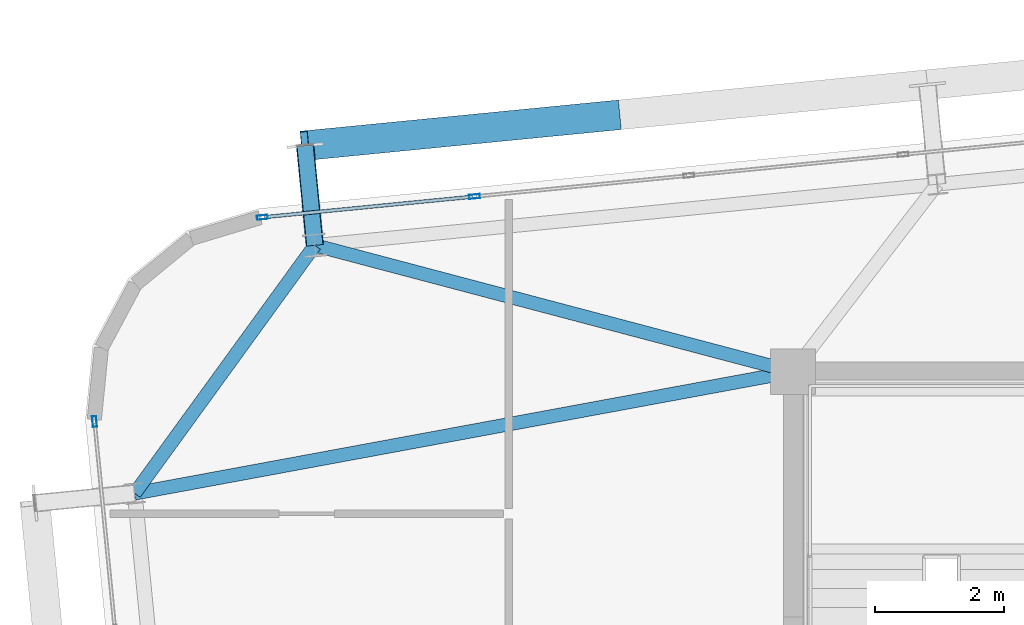
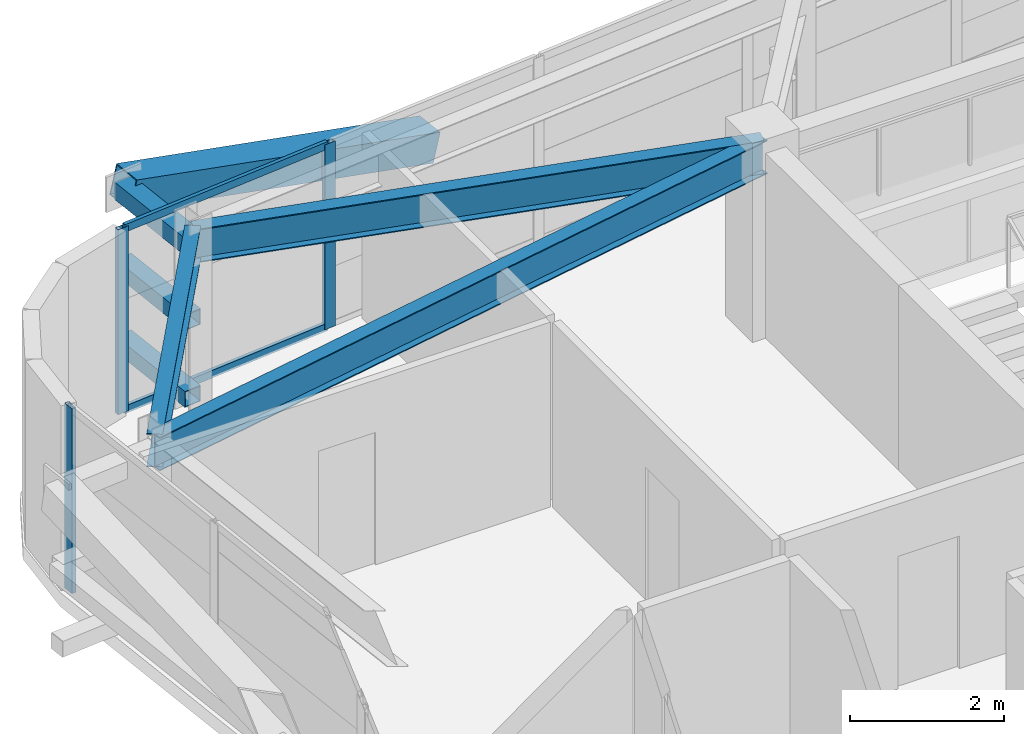
# One storey, part 27 of 53: 9 members, 3 beams, 2 elements without a shape of their own.
"""IFC4 building model written with IfcOpenShell, lengths in metres."""

from ifc_helpers import new_model, si_unit, direction, frame, origin, origin_2d, place, context, subcontext, project, spatial, hollow_rectangle, i_section, extrude, source, transform, mapped, material, layer, layer_set, material_profile, profile_set, type_object, element, aggregate, save


model = new_model("IFC4")

# Units and contexts
model_context = context("Model", 3, precision=1e-05, world=origin(), true_north=direction((0.0, 1.0)))
body_context = subcontext(model_context, "Body", "Model", "MODEL_VIEW")
ifc_project = project(units=[si_unit("LENGTHUNIT", "METRE"), si_unit("AREAUNIT", "SQUARE_METRE"), si_unit("VOLUMEUNIT", "CUBIC_METRE"), si_unit("PLANEANGLEUNIT", "RADIAN"), si_unit("MASSUNIT", "GRAM", prefix="KILO")], contexts=[model_context])

# Site, building, storey
site_placement = place(None, origin())
site = spatial("IfcSite", under=ifc_project, at=site_placement, CompositionType="ELEMENT")
building_placement = place(site_placement, origin())
building = spatial("IfcBuilding", under=site, at=building_placement, Name="Taldren Reach Tower", CompositionType="ELEMENT")
storey_placement = place(building_placement, frame((0.0, 0.0, 84.0)))
storey = spatial("IfcBuildingStorey", under=building, at=storey_placement, Name="L25", CompositionType="ELEMENT", Elevation=84.0)

# Beams
ifc_material_1 = material(Name="Steel Gr 350 (350PLUS)", Category="steel")
ifc_material_profile_1 = material_profile(ifc_material_1, i_section(OverallWidth=0.208984375, OverallDepth=0.528076171875, WebThickness=0.009521484375, FlangeThickness=0.01318359375, at=origin_2d()), Name="530UB82.0")
ifc_profile_set_1 = profile_set([ifc_material_profile_1], Name="Steel Gr 350 (350PLUS)")
beam_type_1 = type_object("IfcBeamType", Name="SP-UB530B", PredefinedType="SPANDREL", material=ifc_profile_set_1)
shared_shape_1 = source(origin(), body_context, "Body", "SweptSolid", [
    extrude(i_section(OverallWidth=0.208984375, OverallDepth=0.528076171875, WebThickness=0.009521484375, FlangeThickness=0.01318359375, at=origin_2d()), origin(), (0.0, 0.0, 1.0), 4.74609375),
])
beam_1_placement = place(storey_placement, frame((11.596923828125, 33.956787109375, 2.666015625), z_axis=(-0.587565912237, -0.809176308833, 0.0), x_axis=(0.809176308833, -0.587565912237, 0.0)))
element("IfcBeam", 1, at=beam_1_placement, inside=storey, type_object=beam_type_1, Name="Perimeter spandrel B2 N1-W3 L25", PredefinedType="SPANDREL", context=body_context, shape_type="MappedRepresentation", body=[
    mapped(shared_shape_1, transform((0.0, 0.0, 0.0), scale=1.0)),
])
ifc_material_profile_2 = material_profile(ifc_material_1, i_section(OverallWidth=0.208984375, OverallDepth=0.532958984375, WebThickness=0.01025390625, FlangeThickness=0.015625, at=origin_2d()), Name="530UB92.4")
ifc_profile_set_2 = profile_set([ifc_material_profile_2], Name="Steel Gr 350 (350PLUS)")
beam_type_2 = type_object("IfcBeamType", Name="BM-UB530A", PredefinedType="BEAM", material=ifc_profile_set_2)
shared_shape_2 = source(origin(), body_context, "Body", "SweptSolid", [
    extrude(i_section(OverallWidth=0.208984375, OverallDepth=0.532958984375, WebThickness=0.01025390625, FlangeThickness=0.015625, at=origin_2d()), origin(), (0.0, 0.0, 1.0), 7.6572265625),
])
beam_2_placement = place(storey_placement, frame((19.0, 32.0, 2.66357421875), z_axis=(-0.966797258245, 0.255544636904, 0.0), x_axis=(-0.255544636904, -0.966797258245, 0.0)))
element("IfcBeam", 2, at=beam_2_placement, inside=storey, type_object=beam_type_2, Name="Primary floor girder B2-N1 L25", PredefinedType="BEAM", context=body_context, shape_type="MappedRepresentation", body=[
    mapped(shared_shape_2, transform((0.0, 0.0, 0.0), scale=1.0)),
])
shared_shape_3 = source(origin(), body_context, "Body", "SweptSolid", [
    extrude(i_section(OverallWidth=0.208984375, OverallDepth=0.532958984375, WebThickness=0.01025390625, FlangeThickness=0.015625, at=origin_2d()), origin(), (0.0, 0.0, 1.0), 10.3642578125),
])
beam_3_placement = place(storey_placement, frame((19.0, 32.0, 2.66357421875), z_axis=(-0.983347548213, -0.181734970283, 0.0), x_axis=(0.181734970283, -0.983347548213, 0.0)))
element("IfcBeam", 3, at=beam_3_placement, inside=storey, type_object=beam_type_2, Name="Primary floor girder B2-W3 L25", PredefinedType="BEAM", context=body_context, shape_type="MappedRepresentation", body=[
    mapped(shared_shape_3, transform((0.0, 0.0, 0.0), scale=1.0)),
])

# Members
ifc_material_2 = material(Name="Steel Gr 450 (C450L0)", Category="steel")
ifc_material_profile_3 = material_profile(ifc_material_2, hollow_rectangle(XDim=0.27490234375, YDim=0.27490234375, WallThickness=0.00927734375, at=origin_2d()), Name="275x275x9.3SHS")
ifc_profile_set_3 = profile_set([ifc_material_profile_3], Name="Steel Gr 450 (C450L0)")
member_type_1 = type_object("IfcMemberType", Name="MB-TIE273", PredefinedType="STRUT", material=ifc_profile_set_3)
shared_shape_4 = source(origin(), body_context, "Body", "SweptSolid", [
    extrude(hollow_rectangle(XDim=0.27490234375, YDim=0.27490234375, WallThickness=0.00927734375, at=origin_2d()), origin(), (0.0, 0.0, 1.0), 1.550048828125),
])
member_1_placement = place(storey_placement, frame((11.596923828125, 33.956787109375, 2.64990234375), z_axis=(-0.097647892962, 0.9952210252, 0.0), x_axis=(-0.9952210252, -0.097647892962, 0.0)))
element("IfcMember", 4, at=member_1_placement, inside=storey, type_object=member_type_1, Name="Exoskeleton diaphragm tie strut B2-N1 L25", PredefinedType="STRUT", context=body_context, shape_type="MappedRepresentation", body=[
    mapped(shared_shape_4, transform((0.0, 0.0, 0.0), scale=1.0)),
])
ifc_material_profile_4 = material_profile(ifc_material_2, hollow_rectangle(XDim=0.4599609375, YDim=0.4599609375, WallThickness=0.01611328125, at=origin_2d()), Name="460x460x16.0SHS")
ifc_profile_set_4 = profile_set([ifc_material_profile_4], Name="Steel Gr 450 (C450L0)")
member_type_2 = type_object("IfcMemberType", Name="MB-EXO457", PredefinedType="BRACE", material=ifc_profile_set_4)
shared_shape_5 = source(origin(), body_context, "Body", "SweptSolid", [
    extrude(hollow_rectangle(XDim=0.4599609375, YDim=0.4599609375, WallThickness=0.01611328125, at=origin_2d()), origin(), (0.0, 0.0, 1.0), 4.990234375),
])
member_2_placement = place(storey_placement, frame((16.262451171875, 35.9716796875, 1.43505859375), z_axis=(-0.965287024526, -0.094620633828, 0.24344998652), x_axis=(0.097555749586, -0.995230061706, 0.0)))
element("IfcMember", 5, at=member_2_placement, inside=storey, type_object=member_type_2, Name="Exoskeleton Diagrid Brace B2-N1 L25", PredefinedType="BRACE", context=body_context, shape_type="MappedRepresentation", body=[
    mapped(shared_shape_5, transform((0.0, 0.0, 0.0), scale=1.0)),
])
ifc_material_3 = material(Name="Steel Gr 350 (C350L0)", Category="steel")
ifc_material_profile_5 = material_profile(ifc_material_3, hollow_rectangle(XDim=0.25, YDim=0.25, WallThickness=0.010009765625, at=origin_2d()), Name="250x250x10.0SHS")
ifc_profile_set_5 = profile_set([ifc_material_profile_5], Name="Steel Gr 350 (C350L0)")
member_type_3 = type_object("IfcMemberType", Name="MB-POST250", PredefinedType="POST", material=ifc_profile_set_5)
shared_shape_6 = source(origin(), body_context, "Body", "SweptSolid", [
    extrude(hollow_rectangle(XDim=0.25, YDim=0.25, WallThickness=0.010009765625, at=origin_2d()), origin(), (0.0, 0.0, 1.0), 1.550048828125),
])
for number, where, z_axis, x_axis, name in (
    (6, (11.596923828125, 33.956787109375, 0.219970703125), (-0.097647892962, 0.9952210252, 0.0), (-0.9952210252, -0.097647892962, 0.0), "Exoskeleton base diaphragm tie strut B2-N1 L25"),
    (7, (11.596923828125, 33.956787109375, 1.43505859375), (-0.097647892962, 0.9952210252, 0.0), (-0.9952210252, -0.097647892962, 0.0), "Exoskeleton mid-tier diaphragm tie B2-N1 L25"),
):
    element("IfcMember", number, at=place(storey_placement, frame(where, z_axis=z_axis, x_axis=x_axis)), inside=storey, type_object=member_type_3, Name=name, PredefinedType="POST", context=body_context, shape_type="MappedRepresentation", body=[
        mapped(shared_shape_6, transform((0.0, 0.0, 0.0), scale=1.0)),
    ])

# Curtain wall, members
ifc_material_4 = material(Name="Aluminium and Low-E Glass Unitised System", Category="aluminium")
ifc_layer = layer(ifc_material_4, 0.159912109375)
ifc_layer_set = layer_set([ifc_layer], Name="Aluminium and Low-E Glass Unitised System")
curtain_wall_type = type_object("IfcCurtainWallType", Name="CW-SYS-3", PredefinedType="NOTDEFINED", material=ifc_layer_set)
curtain_wall_1_placement = place(storey_placement, origin())
curtain_wall_1 = element("IfcCurtainWall", 8, at=curtain_wall_1_placement, inside=storey, type_object=curtain_wall_type, Name="Unitised curtain wall CW-L25-N", PredefinedType="NOTDEFINED")
ifc_material_5 = material(Name="Anodised Aluminium 6063-T6", Category="aluminium")
ifc_material_profile_6 = material_profile(ifc_material_5, hollow_rectangle(XDim=0.06494140625, YDim=0.1650390625, WallThickness=0.00390625, at=origin_2d()), Name="ALU-165x65x4RHS")
ifc_profile_set_6 = profile_set([ifc_material_profile_6], Name="Anodised Aluminium 6063-T6")
member_type_4 = type_object("IfcMemberType", Name="CW-MUL-165", PredefinedType="MULLION", material=ifc_profile_set_6)
shared_shape_7 = source(origin(), body_context, "Body", "SweptSolid", [
    extrude(hollow_rectangle(XDim=0.06494140625, YDim=0.1650390625, WallThickness=0.00390625, at=origin_2d()), origin(), (0.0, 0.0, 1.0), 2.929931640625),
])
member_3_placement = place(storey_placement, frame((14.068359375, 34.711669921875, 0.0), z_axis=(0.0, 0.0, 1.0), x_axis=(0.097582999046, -0.995227390247, 0.0)))
member_3 = element("IfcMember", 9, at=member_3_placement, type_object=member_type_4, Name="CW-3 mullion 15", PredefinedType="MULLION", context=body_context, shape_type="MappedRepresentation", body=[
    mapped(shared_shape_7, transform((0.0, 0.0, 0.0), scale=1.0)),
])
member_4_placement = place(storey_placement, frame((10.783203125, 34.3896484375, 0.0), z_axis=(0.0, 0.0, 1.0), x_axis=(0.097582999046, -0.995227390247, 0.0)))
member_4 = element("IfcMember", 10, at=member_4_placement, type_object=member_type_4, Name="CW-3 mullion 16", PredefinedType="MULLION", context=body_context, shape_type="MappedRepresentation", body=[
    mapped(shared_shape_7, transform((0.0, 0.0, 0.0), scale=1.0)),
])

# Curtain wall, member
curtain_wall_2_placement = place(storey_placement, origin())
curtain_wall_2 = element("IfcCurtainWall", 11, at=curtain_wall_2_placement, inside=storey, type_object=curtain_wall_type, Name="Unitised curtain wall CW-L25-W", PredefinedType="NOTDEFINED")
member_5_placement = place(storey_placement, frame((8.186767578125, 31.228515625, 0.0), z_axis=(0.0, 0.0, 1.0), x_axis=(0.99522741555, 0.09758274098, 0.0)))
member_5 = element("IfcMember", 12, at=member_5_placement, type_object=member_type_4, Name="CW-3 mullion 1", PredefinedType="MULLION", context=body_context, shape_type="MappedRepresentation", body=[
    mapped(shared_shape_7, transform((0.0, 0.0, 0.0), scale=1.0)),
])
aggregate(curtain_wall_2, [member_5])

# Member
ifc_material_profile_7 = material_profile(ifc_material_5, hollow_rectangle(XDim=0.054931640625, YDim=0.1201171875, WallThickness=0.0029296875, at=origin_2d()), Name="ALU-120x55x3RHS")
ifc_profile_set_7 = profile_set([ifc_material_profile_7], Name="Anodised Aluminium 6063-T6")
member_type_5 = type_object("IfcMemberType", Name="CW-TRN-135", PredefinedType="USERDEFINED", material=ifc_profile_set_7)
shared_shape_8 = source(origin(), body_context, "Body", "SweptSolid", [
    extrude(hollow_rectangle(XDim=0.054931640625, YDim=0.1201171875, WallThickness=0.0029296875, at=origin_2d()), origin(), (0.0, 0.0, 1.0), 3.235595703125),
])
member_6_placement = place(storey_placement, frame((14.035888671875, 34.70849609375, 0.027587890625), z_axis=(-0.995229530729, -0.09756116628, 0.0), x_axis=(0.09756116628, -0.995229530729, 0.0)))
member_6 = element("IfcMember", 13, at=member_6_placement, type_object=member_type_5, Name="CW-3 transom 15.1", ObjectType="TRANSOM", PredefinedType="USERDEFINED", context=body_context, shape_type="MappedRepresentation", body=[
    mapped(shared_shape_8, transform((0.0, 0.0, 0.0), scale=1.0)),
])

member_7_placement = place(storey_placement, frame((14.035888671875, 34.70849609375, 2.902587890625), z_axis=(-0.995229530729, -0.09756116628, 0.0), x_axis=(0.09756116628, -0.995229530729, 0.0)))
member_7 = element("IfcMember", 14, at=member_7_placement, type_object=member_type_5, Name="CW-3 transom 15.2", ObjectType="TRANSOM", PredefinedType="USERDEFINED", context=body_context, shape_type="MappedRepresentation", body=[
    mapped(shared_shape_8, transform((0.0, 0.0, 0.0), scale=1.0)),
])

aggregate(curtain_wall_1, [member_3, member_4, member_6, member_7])

save(model, "model.ifc")
